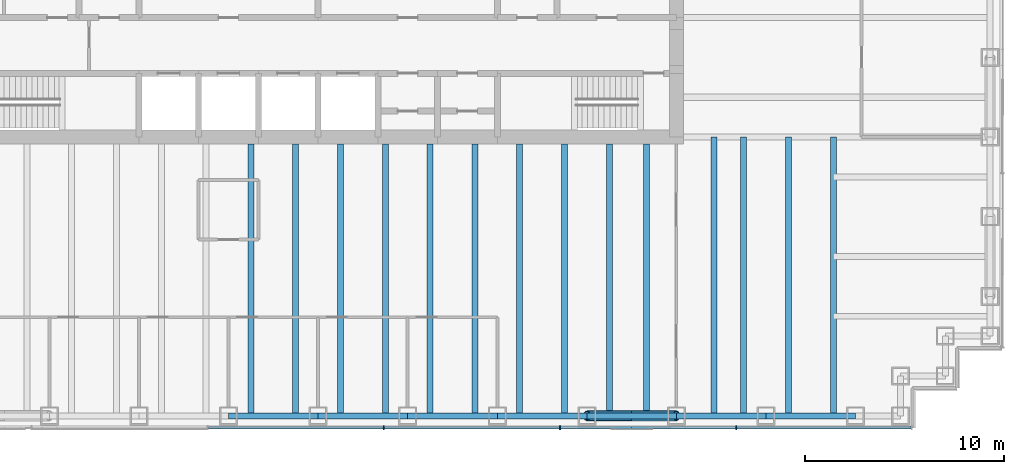
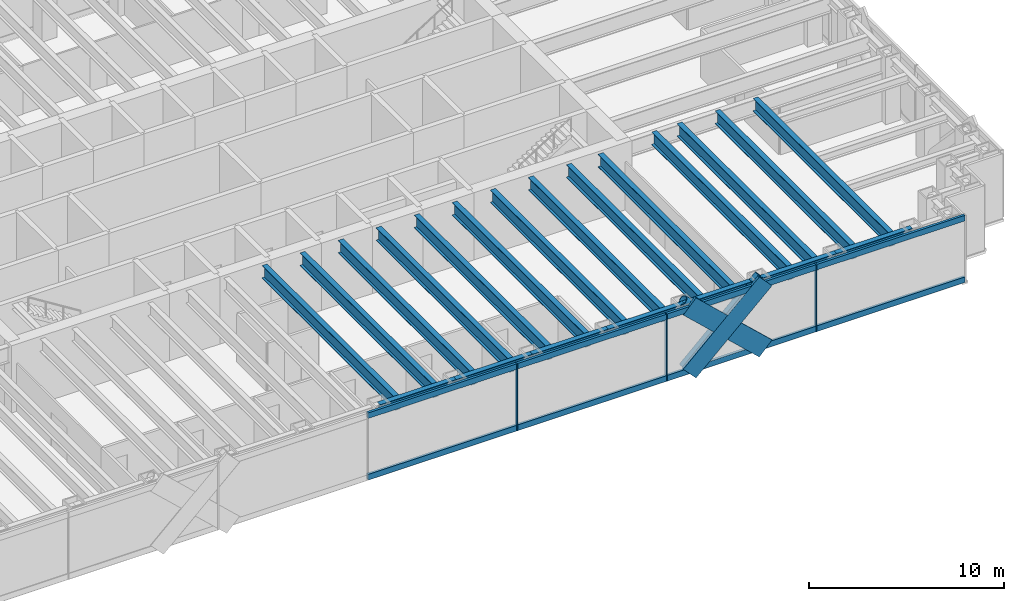
# One storey, part 4 of 17: 21 beams, 15 members, 1 element without a shape of its own.
"""IFC4 building model written with IfcOpenShell, lengths in metres."""

from ifc_helpers import new_model, si_unit, direction, frame, origin, origin_2d, place, context, subcontext, project, spatial, rectangle, hollow_circle, i_section, extrude, material, material_profile, profile_set, type_object, element, aggregate, save


model = new_model("IFC4")

# Units and contexts
model_context = context("Model", 3, precision=1e-05, world=origin(), true_north=direction((0.0, 1.0)))
body_context = subcontext(model_context, "Body", "Model", "MODEL_VIEW")
ifc_project = project(units=[si_unit("LENGTHUNIT", "METRE"), si_unit("AREAUNIT", "SQUARE_METRE"), si_unit("VOLUMEUNIT", "CUBIC_METRE"), si_unit("PLANEANGLEUNIT", "RADIAN"), si_unit("MASSUNIT", "GRAM", prefix="KILO")], contexts=[model_context])

# Site, building, storey
site_placement = place(None, origin())
site = spatial("IfcSite", under=ifc_project, at=site_placement, CompositionType="ELEMENT")
building_placement = place(site_placement, origin())
building = spatial("IfcBuilding", under=site, at=building_placement, Name="Rheinbord Bourse Tower", CompositionType="ELEMENT")
storey_placement = place(building_placement, frame((0.0, 0.0, 287.89990234375)))
storey = spatial("IfcBuildingStorey", under=building, at=storey_placement, Name="L65", CompositionType="ELEMENT", Elevation=287.89990234375)

# Curtain wall, members
ifc_material_1 = material(Name="Dark glass and black aluminium", Category="aluminium")
curtain_wall_type = type_object("IfcCurtainWallType", Name="CW3 DARK GLASS CURTAIN WALL", PredefinedType="USERDEFINED", material=ifc_material_1)
curtain_wall_placement = place(storey_placement, origin())
curtain_wall = element("IfcCurtainWall", 1, at=curtain_wall_placement, inside=storey, type_object=curtain_wall_type, Name="Curtain wall CW3 S L65", ObjectType="UNITISED CURTAIN WALL", PredefinedType="USERDEFINED")
ifc_material_2 = material(Name="Black anodised aluminium", Category="aluminium")
ifc_material_profile_1 = material_profile(ifc_material_2, rectangle(XDim=0.14990234375, YDim=1.10791015625, at=origin_2d()), Name="CW3 DIAGONAL MULLION 1108x150")
ifc_profile_set_1 = profile_set([ifc_material_profile_1], Name="Black anodised aluminium")
member_type_1 = type_object("IfcMemberType", Name="CW3 BLACK DIAGONAL MULLION", PredefinedType="USERDEFINED", material=ifc_profile_set_1)
member_1_placement = place(storey_placement, frame((49.5, 1.39990234375, 0.0), z_axis=(0.731039441158, 0.0, 0.682335207557), x_axis=(0.0, 1.0, 0.0)))
member_1 = element("IfcMember", 2, at=member_1_placement, type_object=member_type_1, Name="CW3 diagonal mullion a", ObjectType="DIAGONAL MULLION", PredefinedType="USERDEFINED", context=body_context, shape_type="SweptSolid", body=[
    extrude(rectangle(XDim=0.14990234375, YDim=1.10791015625, at=origin_2d()), origin(), (0.0, 0.0, 1.0), 6.155517578125),
])
member_2_placement = place(storey_placement, frame((54.0, 1.39990234375, 0.0), z_axis=(-0.731039441158, 0.0, 0.682335207557), x_axis=(0.0, -1.0, 0.0)))
member_2 = element("IfcMember", 3, at=member_2_placement, type_object=member_type_1, Name="CW3 diagonal mullion c", ObjectType="DIAGONAL MULLION", PredefinedType="USERDEFINED", context=body_context, shape_type="SweptSolid", body=[
    extrude(rectangle(XDim=0.14990234375, YDim=1.10791015625, at=origin_2d()), origin(), (0.0, 0.0, 1.0), 6.155517578125),
])
ifc_material_3 = material(Name="Black anodised aluminium", Category="aluminium")
ifc_material_profile_2 = material_profile(ifc_material_3, rectangle(XDim=0.199951171875, YDim=0.06494140625, at=origin_2d()), Name="CW3 MULLION 65x200")
ifc_profile_set_2 = profile_set([ifc_material_profile_2], Name="Black anodised aluminium")
member_type_2 = type_object("IfcMemberType", Name="CW3 BLACK MULLION", PredefinedType="MULLION", material=ifc_profile_set_2)
member_3_placement = place(storey_placement, frame((39.300048828125, 1.39990234375, 0.0), z_axis=(0.0, 0.0, 1.0), x_axis=(0.0, 1.0, 0.0)))
member_3 = element("IfcMember", 4, at=member_3_placement, type_object=member_type_2, Name="CW3 mullion 5", PredefinedType="MULLION", context=body_context, shape_type="SweptSolid", body=[
    extrude(rectangle(XDim=0.199951171875, YDim=0.06494140625, at=origin_2d()), origin(), (0.0, 0.0, 1.0), 4.2001953125),
])
member_4_placement = place(storey_placement, frame((48.14990234375, 1.39990234375, 0.0), z_axis=(0.0, 0.0, 1.0), x_axis=(0.0, 1.0, 0.0)))
member_4 = element("IfcMember", 5, at=member_4_placement, type_object=member_type_2, Name="CW3 mullion 6", PredefinedType="MULLION", context=body_context, shape_type="SweptSolid", body=[
    extrude(rectangle(XDim=0.199951171875, YDim=0.06494140625, at=origin_2d()), origin(), (0.0, 0.0, 1.0), 4.2001953125),
])
member_5_placement = place(storey_placement, frame((57.0, 1.39990234375, 0.0), z_axis=(0.0, 0.0, 1.0), x_axis=(0.0, 1.0, 0.0)))
member_5 = element("IfcMember", 6, at=member_5_placement, type_object=member_type_2, Name="CW3 mullion 7", PredefinedType="MULLION", context=body_context, shape_type="SweptSolid", body=[
    extrude(rectangle(XDim=0.199951171875, YDim=0.06494140625, at=origin_2d()), origin(), (0.0, 0.0, 1.0), 4.2001953125),
])
ifc_material_4 = material(Name="Black anodised aluminium", Category="aluminium")
ifc_material_profile_3 = material_profile(ifc_material_4, rectangle(XDim=0.14990234375, YDim=0.35009765625, at=origin_2d()), Name="CW3 TRANSOM 350x150")
ifc_profile_set_3 = profile_set([ifc_material_profile_3], Name="Black anodised aluminium")
member_type_3 = type_object("IfcMemberType", Name="CW3 BLACK TRANSOM", PredefinedType="USERDEFINED", material=ifc_profile_set_3)
member_6_placement = place(storey_placement, frame((30.482421875, 1.39990234375, 0.175048828125), z_axis=(1.0, 0.0, 0.0), x_axis=(0.0, 1.0, 0.0)))
member_6 = element("IfcMember", 7, at=member_6_placement, type_object=member_type_3, Name="CW3 transom 4.1", ObjectType="TRANSOM", PredefinedType="USERDEFINED", context=body_context, shape_type="SweptSolid", body=[
    extrude(rectangle(XDim=0.14990234375, YDim=0.35009765625, at=origin_2d()), origin(), (0.0, 0.0, 1.0), 8.78515625),
])
member_7_placement = place(storey_placement, frame((30.482421875, 1.39990234375, 4.025146484375), z_axis=(1.0, 0.0, 0.0), x_axis=(0.0, 1.0, 0.0)))
member_7 = element("IfcMember", 8, at=member_7_placement, type_object=member_type_3, Name="CW3 transom 4.2", ObjectType="TRANSOM", PredefinedType="USERDEFINED", context=body_context, shape_type="SweptSolid", body=[
    extrude(rectangle(XDim=0.14990234375, YDim=0.35009765625, at=origin_2d()), origin(), (0.0, 0.0, 1.0), 8.78515625),
])
member_8_placement = place(storey_placement, frame((39.33251953125, 1.39990234375, 0.175048828125), z_axis=(1.0, 0.0, 0.0), x_axis=(0.0, 1.0, 0.0)))
member_8 = element("IfcMember", 9, at=member_8_placement, type_object=member_type_3, Name="CW3 transom 5.1", ObjectType="TRANSOM", PredefinedType="USERDEFINED", context=body_context, shape_type="SweptSolid", body=[
    extrude(rectangle(XDim=0.14990234375, YDim=0.35009765625, at=origin_2d()), origin(), (0.0, 0.0, 1.0), 8.784912109375),
])
member_9_placement = place(storey_placement, frame((39.33251953125, 1.39990234375, 4.025146484375), z_axis=(1.0, 0.0, 0.0), x_axis=(0.0, 1.0, 0.0)))
member_9 = element("IfcMember", 10, at=member_9_placement, type_object=member_type_3, Name="CW3 transom 5.2", ObjectType="TRANSOM", PredefinedType="USERDEFINED", context=body_context, shape_type="SweptSolid", body=[
    extrude(rectangle(XDim=0.14990234375, YDim=0.35009765625, at=origin_2d()), origin(), (0.0, 0.0, 1.0), 8.784912109375),
])
member_10_placement = place(storey_placement, frame((48.1826171875, 1.39990234375, 0.175048828125), z_axis=(1.0, 0.0, 0.0), x_axis=(0.0, 1.0, 0.0)))
member_10 = element("IfcMember", 11, at=member_10_placement, type_object=member_type_3, Name="CW3 transom 6.1", ObjectType="TRANSOM", PredefinedType="USERDEFINED", context=body_context, shape_type="SweptSolid", body=[
    extrude(rectangle(XDim=0.14990234375, YDim=0.35009765625, at=origin_2d()), origin(), (0.0, 0.0, 1.0), 8.784912109375),
])
member_11_placement = place(storey_placement, frame((48.1826171875, 1.39990234375, 4.025146484375), z_axis=(1.0, 0.0, 0.0), x_axis=(0.0, 1.0, 0.0)))
member_11 = element("IfcMember", 12, at=member_11_placement, type_object=member_type_3, Name="CW3 transom 6.2", ObjectType="TRANSOM", PredefinedType="USERDEFINED", context=body_context, shape_type="SweptSolid", body=[
    extrude(rectangle(XDim=0.14990234375, YDim=0.35009765625, at=origin_2d()), origin(), (0.0, 0.0, 1.0), 8.784912109375),
])
member_12_placement = place(storey_placement, frame((57.032470703125, 1.39990234375, 0.175048828125), z_axis=(1.0, 0.0, 0.0), x_axis=(0.0, 1.0, 0.0)))
member_12 = element("IfcMember", 13, at=member_12_placement, type_object=member_type_3, Name="CW3 transom 7.1", ObjectType="TRANSOM", PredefinedType="USERDEFINED", context=body_context, shape_type="SweptSolid", body=[
    extrude(rectangle(XDim=0.14990234375, YDim=0.35009765625, at=origin_2d()), origin(), (0.0, 0.0, 1.0), 8.75244140625),
])
member_13_placement = place(storey_placement, frame((57.032470703125, 1.39990234375, 4.025146484375), z_axis=(1.0, 0.0, 0.0), x_axis=(0.0, 1.0, 0.0)))
member_13 = element("IfcMember", 14, at=member_13_placement, type_object=member_type_3, Name="CW3 transom 7.2", ObjectType="TRANSOM", PredefinedType="USERDEFINED", context=body_context, shape_type="SweptSolid", body=[
    extrude(rectangle(XDim=0.14990234375, YDim=0.35009765625, at=origin_2d()), origin(), (0.0, 0.0, 1.0), 8.75244140625),
])
aggregate(curtain_wall, [member_3, member_4, member_5, member_6, member_7, member_8, member_9, member_10, member_11, member_12, member_13, member_1, member_2])

# Beams
ifc_material_5 = material(Name="Steel S460", Category="steel")
ifc_material_profile_4 = material_profile(ifc_material_5, i_section(OverallWidth=0.300048828125, OverallDepth=0.800048828125, WebThickness=0.017578125, FlangeThickness=0.032958984375, at=origin_2d()), Name="HEB 800")
ifc_profile_set_4 = profile_set([ifc_material_profile_4], Name="Steel S460")
beam_type_1 = type_object("IfcBeamType", Name="FLOOR BEAM HEB 800", PredefinedType="BEAM", material=ifc_profile_set_4)
for number, where, z_axis, x_axis, name in (
    (15, (32.625, 2.0, 3.64013671875), (0.0, 1.0, 0.0), (-1.0, 0.0, 0.0), "Floor beam S-31.5a L66"),
    (16, (34.875, 2.0, 3.64013671875), (0.0, 1.0, 0.0), (-1.0, 0.0, 0.0), "Floor beam S-31.5b L66"),
    (17, (37.125, 2.0, 3.64013671875), (0.0, 1.0, 0.0), (-1.0, 0.0, 0.0), "Floor beam S-36a L66"),
    (18, (39.375, 2.0, 3.64013671875), (0.0, 1.0, 0.0), (-1.0, 0.0, 0.0), "Floor beam S-36b L66"),
    (19, (41.625, 2.0, 3.64013671875), (0.0, 1.0, 0.0), (-1.0, 0.0, 0.0), "Floor beam S-40.5a L66"),
    (20, (43.875, 2.0, 3.64013671875), (0.0, 1.0, 0.0), (-1.0, 0.0, 0.0), "Floor beam S-40.5b L66"),
    (21, (46.125, 2.0, 3.64013671875), (0.0, 1.0, 0.0), (-1.0, 0.0, 0.0), "Floor beam S-45a L66"),
    (22, (48.375, 2.0, 3.64013671875), (0.0, 1.0, 0.0), (-1.0, 0.0, 0.0), "Floor beam S-45b L66"),
    (23, (50.625, 2.0, 3.64013671875), (0.0, 1.0, 0.0), (-1.0, 0.0, 0.0), "Floor beam S-49.5a L66"),
    (24, (52.5, 2.0, 3.64013671875), (0.0, 1.0, 0.0), (-1.0, 0.0, 0.0), "Floor beam S-49.5b L66"),
):
    element("IfcBeam", number, at=place(storey_placement, frame(where, z_axis=z_axis, x_axis=x_axis)), inside=storey, type_object=beam_type_1, Name=name, PredefinedType="BEAM", context=body_context, shape_type="SweptSolid", body=[
        extrude(i_section(OverallWidth=0.300048828125, OverallDepth=0.800048828125, WebThickness=0.017578125, FlangeThickness=0.032958984375, at=origin_2d()), origin(), (0.0, 0.0, 1.0), 13.64990234375),
    ])
for number, where, z_axis, x_axis, name in (
    (25, (55.875, 2.0, 3.64013671875), (0.0, 1.0, 0.0), (-1.0, 0.0, 0.0), "Floor beam S-54a L66"),
    (26, (57.375, 2.0, 3.64013671875), (0.0, 1.0, 0.0), (-1.0, 0.0, 0.0), "Floor beam S-54b L66"),
    (27, (59.625, 2.0, 3.64013671875), (0.0, 1.0, 0.0), (-1.0, 0.0, 0.0), "Floor beam S-58.5a L66"),
    (28, (61.875, 2.0, 3.64013671875), (0.0, 1.0, 0.0), (-1.0, 0.0, 0.0), "Floor beam S-58.5b L66"),
):
    element("IfcBeam", number, at=place(storey_placement, frame(where, z_axis=z_axis, x_axis=x_axis)), inside=storey, type_object=beam_type_1, Name=name, PredefinedType="BEAM", context=body_context, shape_type="SweptSolid", body=[
        extrude(i_section(OverallWidth=0.300048828125, OverallDepth=0.800048828125, WebThickness=0.017578125, FlangeThickness=0.032958984375, at=origin_2d()), origin(), (0.0, 0.0, 1.0), 14.0),
    ])

# Members
ifc_material_6 = material(Name="Steel S460", Category="steel")
ifc_material_profile_5 = material_profile(ifc_material_6, hollow_circle(Radius=0.25390625, WallThickness=0.030029296875, at=origin_2d()), Name="CHS 508x30")
ifc_profile_set_5 = profile_set([ifc_material_profile_5], Name="Steel S460")
member_type_4 = type_object("IfcMemberType", Name="MEGABRACE CHS 508x30", PredefinedType="BRACE", material=ifc_profile_set_5)
for number, where, z_axis, x_axis, name in (
    (29, (49.5, 2.0, 0.0), (0.731039441158, 0.0, 0.682335207557), (0.0, 1.0, 0.0), "Megabrace S face line a L65"),
    (30, (54.0, 2.0, 0.0), (-0.731039441158, 0.0, 0.682335207557), (0.0, -1.0, 0.0), "Megabrace S face line c L65"),
):
    element("IfcMember", number, at=place(storey_placement, frame(where, z_axis=z_axis, x_axis=x_axis)), inside=storey, type_object=member_type_4, Name=name, PredefinedType="BRACE", context=body_context, shape_type="SweptSolid", body=[
        extrude(hollow_circle(Radius=0.25390625, WallThickness=0.030029296875, at=origin_2d()), origin(), (0.0, 0.0, 1.0), 6.155517578125),
    ])

# Beams
ifc_material_7 = material(Name="Steel S460", Category="steel")
ifc_material_profile_6 = material_profile(ifc_material_7, i_section(OverallWidth=0.300048828125, OverallDepth=0.550048828125, WebThickness=0.014892578125, FlangeThickness=0.029052734375, at=origin_2d()), Name="HEB 550")
ifc_profile_set_6 = profile_set([ifc_material_profile_6], Name="Steel S460")
beam_type_2 = type_object("IfcBeamType", Name="SPANDREL HEB 550", PredefinedType="SPANDREL", material=ifc_profile_set_6)
for number, where, z_axis, x_axis, name in (
    (31, (31.5, 2.0, 3.76513671875), (1.0, 0.0, 0.0), (0.0, 1.0, 0.0), "Spandrel S-31.5-S-36 under L66"),
    (32, (36.0, 2.0, 3.76513671875), (1.0, 0.0, 0.0), (0.0, 1.0, 0.0), "Spandrel S-36-S-40.5 under L66"),
    (33, (40.5, 2.0, 3.76513671875), (1.0, 0.0, 0.0), (0.0, 1.0, 0.0), "Spandrel S-40.5-S-45 under L66"),
    (34, (45.0, 2.0, 3.76513671875), (1.0, 0.0, 0.0), (0.0, 1.0, 0.0), "Spandrel S-45-S-49.5 under L66"),
    (35, (49.5, 2.0, 3.76513671875), (1.0, 0.0, 0.0), (0.0, 1.0, 0.0), "Spandrel S-49.5-S-54 under L66"),
    (36, (54.0, 2.0, 3.76513671875), (1.0, 0.0, 0.0), (0.0, 1.0, 0.0), "Spandrel S-54-S-58.5 under L66"),
    (37, (58.5, 2.0, 3.76513671875), (1.0, 0.0, 0.0), (0.0, 1.0, 0.0), "Spandrel S-58.5-S-63 under L66"),
):
    element("IfcBeam", number, at=place(storey_placement, frame(where, z_axis=z_axis, x_axis=x_axis)), inside=storey, type_object=beam_type_2, Name=name, PredefinedType="SPANDREL", context=body_context, shape_type="SweptSolid", body=[
        extrude(i_section(OverallWidth=0.300048828125, OverallDepth=0.550048828125, WebThickness=0.014892578125, FlangeThickness=0.029052734375, at=origin_2d()), origin(), (0.0, 0.0, 1.0), 4.5),
    ])

save(model, "model.ifc")
